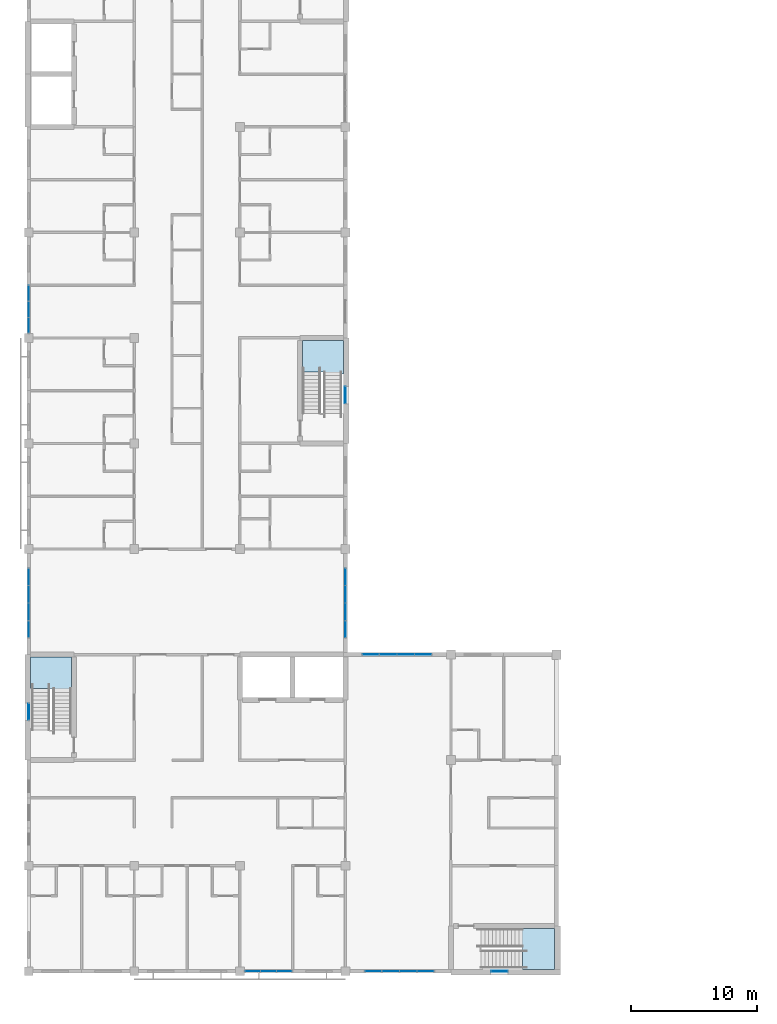
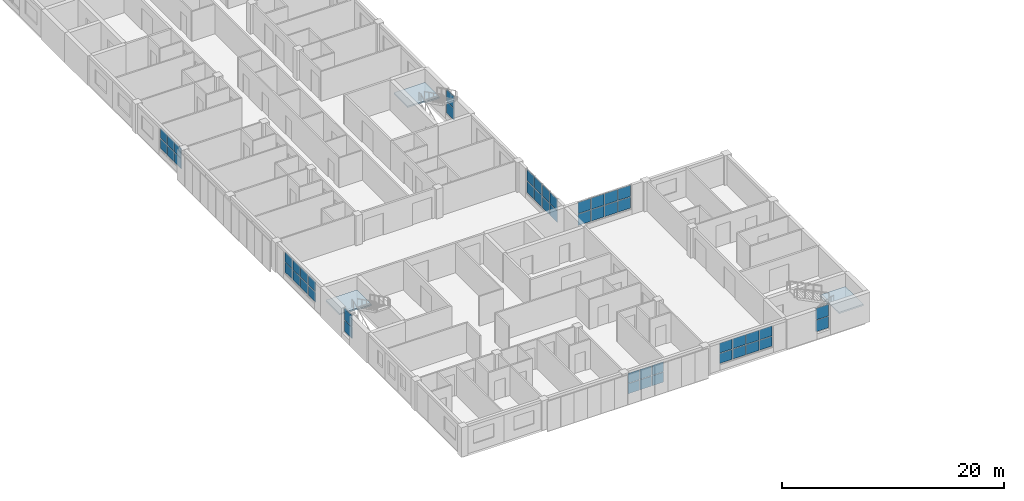
# One storey, part 19 of 46: 50 plates, 3 slabs, 12 elements without a shape of their own.
"""IFC4 building model written with IfcOpenShell, lengths in metres."""

from ifc_helpers import new_model, si_unit, direction, frame, origin, origin_2d, place, context, subcontext, project, spatial, polyline, rectangle, outline, extrude, material, layer, layer_set, type_object, element, aggregate, save


model = new_model("IFC4")

# Units and contexts
model_context = context("Model", 3, precision=1e-05, world=origin(), true_north=direction((0.0, 1.0)))
body_context = subcontext(model_context, "Body", "Model", "MODEL_VIEW")
ifc_project = project(units=[si_unit("LENGTHUNIT", "METRE"), si_unit("AREAUNIT", "SQUARE_METRE"), si_unit("VOLUMEUNIT", "CUBIC_METRE"), si_unit("PLANEANGLEUNIT", "RADIAN"), si_unit("MASSUNIT", "GRAM", prefix="KILO")], contexts=[model_context])

# Site, building, storey
site_placement = place(None, origin())
site = spatial("IfcSite", under=ifc_project, at=site_placement, CompositionType="ELEMENT")
building_placement = place(site_placement, origin())
building = spatial("IfcBuilding", under=site, at=building_placement, Name="Yavir Park General Hospital", CompositionType="ELEMENT")
storey_placement = place(building_placement, frame((0.0, 0.0, 18.89990234375)))
storey = spatial("IfcBuildingStorey", under=building, at=storey_placement, Name="L04", CompositionType="ELEMENT", Elevation=18.89990234375)

# Curtain wall, plates
ifc_material_1 = material(Name="Aluminium curtain wall frame with insulated glazing", Category="aluminium")
curtain_wall_type_1 = type_object("IfcCurtainWallType", Name="Day room pocket glazing, ward floors, 2360 high, 1400 module", PredefinedType="NOTDEFINED", material=ifc_material_1)
curtain_wall_1_placement = place(storey_placement, origin())
curtain_wall_1 = element("IfcCurtainWall", 1, at=curtain_wall_1_placement, inside=storey, type_object=curtain_wall_type_1, Name="CW6 L04-001", PredefinedType="NOTDEFINED")
ifc_material_2 = material(Name="Insulated glazed unit 30 mm, low-e coating")
ifc_layer_1 = layer(ifc_material_2, 0.030029296875)
ifc_layer_set_1 = layer_set([ifc_layer_1], Name="Insulated glazed unit 30 mm, low-e coating")
plate_type_1 = type_object("IfcPlateType", Name="Day room pocket glazing, ward floors, 2360 high panel 30", PredefinedType="CURTAIN_PANEL", material=ifc_layer_set_1)
plate_1_placement = place(storey_placement, frame((17.806640625, 0.0, 0.66015625), z_axis=(0.0, 0.0, 1.0), x_axis=(1.0, 0.0, 0.0)))
plate_1 = element("IfcPlate", 2, at=plate_1_placement, type_object=plate_type_1, Name="CW6 panel 1.1", PredefinedType="CURTAIN_PANEL", context=body_context, shape_type="SweptSolid", body=[
    extrude(rectangle(XDim=1.193359375, YDim=0.030029296875, at=origin_2d()), origin(), (0.0, 0.0, 1.0), 1.090087890625),
])
plate_2_placement = place(storey_placement, frame((17.806640625, 0.0, 1.81005859375), z_axis=(0.0, 0.0, 1.0), x_axis=(1.0, 0.0, 0.0)))
plate_2 = element("IfcPlate", 3, at=plate_2_placement, type_object=plate_type_1, Name="CW6 panel 1.2", PredefinedType="CURTAIN_PANEL", context=body_context, shape_type="SweptSolid", body=[
    extrude(rectangle(XDim=1.193359375, YDim=0.030029296875, at=origin_2d()), origin(), (0.0, 0.0, 1.0), 1.090087890625),
])
plate_3_placement = place(storey_placement, frame((19.074951171875, 0.0, 0.66015625), z_axis=(0.0, 0.0, 1.0), x_axis=(1.0, 0.0, 0.0)))
plate_3 = element("IfcPlate", 4, at=plate_3_placement, type_object=plate_type_1, Name="CW6 panel 2.1", PredefinedType="CURTAIN_PANEL", context=body_context, shape_type="SweptSolid", body=[
    extrude(rectangle(XDim=1.223388671875, YDim=0.030029296875, at=origin_2d()), origin(), (0.0, 0.0, 1.0), 1.090087890625),
])
plate_4_placement = place(storey_placement, frame((19.074951171875, 0.0, 1.81005859375), z_axis=(0.0, 0.0, 1.0), x_axis=(1.0, 0.0, 0.0)))
plate_4 = element("IfcPlate", 5, at=plate_4_placement, type_object=plate_type_1, Name="CW6 panel 2.2", PredefinedType="CURTAIN_PANEL", context=body_context, shape_type="SweptSolid", body=[
    extrude(rectangle(XDim=1.223388671875, YDim=0.030029296875, at=origin_2d()), origin(), (0.0, 0.0, 1.0), 1.090087890625),
])
plate_5_placement = place(storey_placement, frame((20.34326171875, 0.0, 0.66015625), z_axis=(0.0, 0.0, 1.0), x_axis=(1.0, 0.0, 0.0)))
plate_5 = element("IfcPlate", 6, at=plate_5_placement, type_object=plate_type_1, Name="CW6 panel 3.1", PredefinedType="CURTAIN_PANEL", context=body_context, shape_type="SweptSolid", body=[
    extrude(rectangle(XDim=1.193359375, YDim=0.030029296875, at=origin_2d()), origin(), (0.0, 0.0, 1.0), 1.090087890625),
])
plate_6_placement = place(storey_placement, frame((20.34326171875, 0.0, 1.81005859375), z_axis=(0.0, 0.0, 1.0), x_axis=(1.0, 0.0, 0.0)))
plate_6 = element("IfcPlate", 7, at=plate_6_placement, type_object=plate_type_1, Name="CW6 panel 3.2", PredefinedType="CURTAIN_PANEL", context=body_context, shape_type="SweptSolid", body=[
    extrude(rectangle(XDim=1.193359375, YDim=0.030029296875, at=origin_2d()), origin(), (0.0, 0.0, 1.0), 1.090087890625),
])
aggregate(curtain_wall_1, [plate_1, plate_2, plate_3, plate_4, plate_5, plate_6])

curtain_wall_2_placement = place(storey_placement, origin())
curtain_wall_2 = element("IfcCurtainWall", 8, at=curtain_wall_2_placement, inside=storey, type_object=curtain_wall_type_1, Name="CW6 L04-002", PredefinedType="NOTDEFINED")
plate_7_placement = place(storey_placement, frame((27.4150390625, 0.0, 0.66015625), z_axis=(0.0, 0.0, 1.0), x_axis=(1.0, 0.0, 0.0)))
plate_7 = element("IfcPlate", 9, at=plate_7_placement, type_object=plate_type_1, Name="CW6 panel 1.1", PredefinedType="CURTAIN_PANEL", context=body_context, shape_type="SweptSolid", body=[
    extrude(rectangle(XDim=1.31005859375, YDim=0.030029296875, at=origin_2d()), origin(), (0.0, 0.0, 1.0), 1.090087890625),
])
plate_8_placement = place(storey_placement, frame((27.4150390625, 0.0, 1.81005859375), z_axis=(0.0, 0.0, 1.0), x_axis=(1.0, 0.0, 0.0)))
plate_8 = element("IfcPlate", 10, at=plate_8_placement, type_object=plate_type_1, Name="CW6 panel 1.2", PredefinedType="CURTAIN_PANEL", context=body_context, shape_type="SweptSolid", body=[
    extrude(rectangle(XDim=1.31005859375, YDim=0.030029296875, at=origin_2d()), origin(), (0.0, 0.0, 1.0), 1.090087890625),
])
plate_9_placement = place(storey_placement, frame((28.800048828125, 0.0, 0.66015625), z_axis=(0.0, 0.0, 1.0), x_axis=(1.0, 0.0, 0.0)))
plate_9 = element("IfcPlate", 11, at=plate_9_placement, type_object=plate_type_1, Name="CW6 panel 2.1", PredefinedType="CURTAIN_PANEL", context=body_context, shape_type="SweptSolid", body=[
    extrude(rectangle(XDim=1.340087890625, YDim=0.030029296875, at=origin_2d()), origin(), (0.0, 0.0, 1.0), 1.090087890625),
])
plate_10_placement = place(storey_placement, frame((28.800048828125, 0.0, 1.81005859375), z_axis=(0.0, 0.0, 1.0), x_axis=(1.0, 0.0, 0.0)))
plate_10 = element("IfcPlate", 12, at=plate_10_placement, type_object=plate_type_1, Name="CW6 panel 2.2", PredefinedType="CURTAIN_PANEL", context=body_context, shape_type="SweptSolid", body=[
    extrude(rectangle(XDim=1.340087890625, YDim=0.030029296875, at=origin_2d()), origin(), (0.0, 0.0, 1.0), 1.090087890625),
])
plate_11_placement = place(storey_placement, frame((30.199951171875, 0.0, 0.66015625), z_axis=(0.0, 0.0, 1.0), x_axis=(1.0, 0.0, 0.0)))
plate_11 = element("IfcPlate", 13, at=plate_11_placement, type_object=plate_type_1, Name="CW6 panel 3.1", PredefinedType="CURTAIN_PANEL", context=body_context, shape_type="SweptSolid", body=[
    extrude(rectangle(XDim=1.340087890625, YDim=0.030029296875, at=origin_2d()), origin(), (0.0, 0.0, 1.0), 1.090087890625),
])
plate_12_placement = place(storey_placement, frame((30.199951171875, 0.0, 1.81005859375), z_axis=(0.0, 0.0, 1.0), x_axis=(1.0, 0.0, 0.0)))
plate_12 = element("IfcPlate", 14, at=plate_12_placement, type_object=plate_type_1, Name="CW6 panel 3.2", PredefinedType="CURTAIN_PANEL", context=body_context, shape_type="SweptSolid", body=[
    extrude(rectangle(XDim=1.340087890625, YDim=0.030029296875, at=origin_2d()), origin(), (0.0, 0.0, 1.0), 1.090087890625),
])
plate_13_placement = place(storey_placement, frame((31.5849609375, 0.0, 0.66015625), z_axis=(0.0, 0.0, 1.0), x_axis=(1.0, 0.0, 0.0)))
plate_13 = element("IfcPlate", 15, at=plate_13_placement, type_object=plate_type_1, Name="CW6 panel 4.1", PredefinedType="CURTAIN_PANEL", context=body_context, shape_type="SweptSolid", body=[
    extrude(rectangle(XDim=1.31005859375, YDim=0.030029296875, at=origin_2d()), origin(), (0.0, 0.0, 1.0), 1.090087890625),
])
plate_14_placement = place(storey_placement, frame((31.5849609375, 0.0, 1.81005859375), z_axis=(0.0, 0.0, 1.0), x_axis=(1.0, 0.0, 0.0)))
plate_14 = element("IfcPlate", 16, at=plate_14_placement, type_object=plate_type_1, Name="CW6 panel 4.2", PredefinedType="CURTAIN_PANEL", context=body_context, shape_type="SweptSolid", body=[
    extrude(rectangle(XDim=1.31005859375, YDim=0.030029296875, at=origin_2d()), origin(), (0.0, 0.0, 1.0), 1.090087890625),
])
aggregate(curtain_wall_2, [plate_7, plate_8, plate_9, plate_10, plate_11, plate_12, plate_13, plate_14])

curtain_wall_3_placement = place(storey_placement, origin())
curtain_wall_3 = element("IfcCurtainWall", 17, at=curtain_wall_3_placement, inside=storey, type_object=curtain_wall_type_1, Name="CW6 L04-017", PredefinedType="NOTDEFINED")
plate_15_placement = place(storey_placement, frame((0.0, 27.215087890625, 0.66015625), z_axis=(0.0, 0.0, 1.0), x_axis=(0.0, 1.0, 0.0)))
plate_15 = element("IfcPlate", 18, at=plate_15_placement, type_object=plate_type_1, Name="CW6 panel 1.1", PredefinedType="CURTAIN_PANEL", context=body_context, shape_type="SweptSolid", body=[
    extrude(rectangle(XDim=1.31005859375, YDim=0.030029296875, at=origin_2d()), origin(), (0.0, 0.0, 1.0), 1.090087890625),
])
plate_16_placement = place(storey_placement, frame((0.0, 27.215087890625, 1.81005859375), z_axis=(0.0, 0.0, 1.0), x_axis=(0.0, 1.0, 0.0)))
plate_16 = element("IfcPlate", 19, at=plate_16_placement, type_object=plate_type_1, Name="CW6 panel 1.2", PredefinedType="CURTAIN_PANEL", context=body_context, shape_type="SweptSolid", body=[
    extrude(rectangle(XDim=1.31005859375, YDim=0.030029296875, at=origin_2d()), origin(), (0.0, 0.0, 1.0), 1.090087890625),
])
plate_17_placement = place(storey_placement, frame((0.0, 28.60009765625, 0.66015625), z_axis=(0.0, 0.0, 1.0), x_axis=(0.0, 1.0, 0.0)))
plate_17 = element("IfcPlate", 20, at=plate_17_placement, type_object=plate_type_1, Name="CW6 panel 2.1", PredefinedType="CURTAIN_PANEL", context=body_context, shape_type="SweptSolid", body=[
    extrude(rectangle(XDim=1.340087890625, YDim=0.030029296875, at=origin_2d()), origin(), (0.0, 0.0, 1.0), 1.090087890625),
])
plate_18_placement = place(storey_placement, frame((0.0, 28.60009765625, 1.81005859375), z_axis=(0.0, 0.0, 1.0), x_axis=(0.0, 1.0, 0.0)))
plate_18 = element("IfcPlate", 21, at=plate_18_placement, type_object=plate_type_1, Name="CW6 panel 2.2", PredefinedType="CURTAIN_PANEL", context=body_context, shape_type="SweptSolid", body=[
    extrude(rectangle(XDim=1.340087890625, YDim=0.030029296875, at=origin_2d()), origin(), (0.0, 0.0, 1.0), 1.090087890625),
])
plate_19_placement = place(storey_placement, frame((0.0, 30.0, 0.66015625), z_axis=(0.0, 0.0, 1.0), x_axis=(0.0, 1.0, 0.0)))
plate_19 = element("IfcPlate", 22, at=plate_19_placement, type_object=plate_type_1, Name="CW6 panel 3.1", PredefinedType="CURTAIN_PANEL", context=body_context, shape_type="SweptSolid", body=[
    extrude(rectangle(XDim=1.340087890625, YDim=0.030029296875, at=origin_2d()), origin(), (0.0, 0.0, 1.0), 1.090087890625),
])
plate_20_placement = place(storey_placement, frame((0.0, 30.0, 1.81005859375), z_axis=(0.0, 0.0, 1.0), x_axis=(0.0, 1.0, 0.0)))
plate_20 = element("IfcPlate", 23, at=plate_20_placement, type_object=plate_type_1, Name="CW6 panel 3.2", PredefinedType="CURTAIN_PANEL", context=body_context, shape_type="SweptSolid", body=[
    extrude(rectangle(XDim=1.340087890625, YDim=0.030029296875, at=origin_2d()), origin(), (0.0, 0.0, 1.0), 1.090087890625),
])
plate_21_placement = place(storey_placement, frame((0.0, 31.385009765625, 0.66015625), z_axis=(0.0, 0.0, 1.0), x_axis=(0.0, 1.0, 0.0)))
plate_21 = element("IfcPlate", 24, at=plate_21_placement, type_object=plate_type_1, Name="CW6 panel 4.1", PredefinedType="CURTAIN_PANEL", context=body_context, shape_type="SweptSolid", body=[
    extrude(rectangle(XDim=1.31005859375, YDim=0.030029296875, at=origin_2d()), origin(), (0.0, 0.0, 1.0), 1.090087890625),
])
plate_22_placement = place(storey_placement, frame((0.0, 31.385009765625, 1.81005859375), z_axis=(0.0, 0.0, 1.0), x_axis=(0.0, 1.0, 0.0)))
plate_22 = element("IfcPlate", 25, at=plate_22_placement, type_object=plate_type_1, Name="CW6 panel 4.2", PredefinedType="CURTAIN_PANEL", context=body_context, shape_type="SweptSolid", body=[
    extrude(rectangle(XDim=1.31005859375, YDim=0.030029296875, at=origin_2d()), origin(), (0.0, 0.0, 1.0), 1.090087890625),
])
aggregate(curtain_wall_3, [plate_15, plate_16, plate_17, plate_18, plate_19, plate_20, plate_21, plate_22])

curtain_wall_4_placement = place(storey_placement, origin())
curtain_wall_4 = element("IfcCurtainWall", 26, at=curtain_wall_4_placement, inside=storey, type_object=curtain_wall_type_1, Name="CW6 L04-018", PredefinedType="NOTDEFINED")
plate_23_placement = place(storey_placement, frame((0.0, 51.40673828125, 0.66015625), z_axis=(0.0, 0.0, 1.0), x_axis=(0.0, 1.0, 0.0)))
plate_23 = element("IfcPlate", 27, at=plate_23_placement, type_object=plate_type_1, Name="CW6 panel 1.1", PredefinedType="CURTAIN_PANEL", context=body_context, shape_type="SweptSolid", body=[
    extrude(rectangle(XDim=1.193359375, YDim=0.030029296875, at=origin_2d()), origin(), (0.0, 0.0, 1.0), 1.090087890625),
])
plate_24_placement = place(storey_placement, frame((0.0, 51.40673828125, 1.81005859375), z_axis=(0.0, 0.0, 1.0), x_axis=(0.0, 1.0, 0.0)))
plate_24 = element("IfcPlate", 28, at=plate_24_placement, type_object=plate_type_1, Name="CW6 panel 1.2", PredefinedType="CURTAIN_PANEL", context=body_context, shape_type="SweptSolid", body=[
    extrude(rectangle(XDim=1.193359375, YDim=0.030029296875, at=origin_2d()), origin(), (0.0, 0.0, 1.0), 1.090087890625),
])
plate_25_placement = place(storey_placement, frame((0.0, 52.675048828125, 0.66015625), z_axis=(0.0, 0.0, 1.0), x_axis=(0.0, 1.0, 0.0)))
plate_25 = element("IfcPlate", 29, at=plate_25_placement, type_object=plate_type_1, Name="CW6 panel 2.1", PredefinedType="CURTAIN_PANEL", context=body_context, shape_type="SweptSolid", body=[
    extrude(rectangle(XDim=1.223388671875, YDim=0.030029296875, at=origin_2d()), origin(), (0.0, 0.0, 1.0), 1.090087890625),
])
plate_26_placement = place(storey_placement, frame((0.0, 52.675048828125, 1.81005859375), z_axis=(0.0, 0.0, 1.0), x_axis=(0.0, 1.0, 0.0)))
plate_26 = element("IfcPlate", 30, at=plate_26_placement, type_object=plate_type_1, Name="CW6 panel 2.2", PredefinedType="CURTAIN_PANEL", context=body_context, shape_type="SweptSolid", body=[
    extrude(rectangle(XDim=1.223388671875, YDim=0.030029296875, at=origin_2d()), origin(), (0.0, 0.0, 1.0), 1.090087890625),
])
plate_27_placement = place(storey_placement, frame((0.0, 53.943359375, 0.66015625), z_axis=(0.0, 0.0, 1.0), x_axis=(0.0, 1.0, 0.0)))
plate_27 = element("IfcPlate", 31, at=plate_27_placement, type_object=plate_type_1, Name="CW6 panel 3.1", PredefinedType="CURTAIN_PANEL", context=body_context, shape_type="SweptSolid", body=[
    extrude(rectangle(XDim=1.193359375, YDim=0.030029296875, at=origin_2d()), origin(), (0.0, 0.0, 1.0), 1.090087890625),
])
plate_28_placement = place(storey_placement, frame((0.0, 53.943359375, 1.81005859375), z_axis=(0.0, 0.0, 1.0), x_axis=(0.0, 1.0, 0.0)))
plate_28 = element("IfcPlate", 32, at=plate_28_placement, type_object=plate_type_1, Name="CW6 panel 3.2", PredefinedType="CURTAIN_PANEL", context=body_context, shape_type="SweptSolid", body=[
    extrude(rectangle(XDim=1.193359375, YDim=0.030029296875, at=origin_2d()), origin(), (0.0, 0.0, 1.0), 1.090087890625),
])
aggregate(curtain_wall_4, [plate_23, plate_24, plate_25, plate_26, plate_27, plate_28])

ifc_material_3 = material(Name="Aluminium curtain wall frame with insulated glazing", Category="aluminium")
curtain_wall_type_2 = type_object("IfcCurtainWallType", Name="Day room pocket glazing, ward floors, 2660 high, 1400 module", PredefinedType="NOTDEFINED", material=ifc_material_3)
curtain_wall_5_placement = place(storey_placement, origin())
curtain_wall_5 = element("IfcCurtainWall", 33, at=curtain_wall_5_placement, inside=storey, type_object=curtain_wall_type_2, Name="CW62 L04-009", PredefinedType="NOTDEFINED")
ifc_material_4 = material(Name="Insulated glazed unit 30 mm, low-e coating")
ifc_layer_2 = layer(ifc_material_4, 0.030029296875)
ifc_layer_set_2 = layer_set([ifc_layer_2], Name="Insulated glazed unit 30 mm, low-e coating")
plate_type_2 = type_object("IfcPlateType", Name="Day room pocket glazing, ward floors, 2660 high panel 30", PredefinedType="CURTAIN_PANEL", material=ifc_layer_set_2)
plate_29_placement = place(storey_placement, frame((27.215087890625, 25.199951171875, 0.66015625), z_axis=(0.0, 0.0, 1.0), x_axis=(1.0, 0.0, 0.0)))
plate_29 = element("IfcPlate", 34, at=plate_29_placement, type_object=plate_type_2, Name="CW62 panel 1.1", PredefinedType="CURTAIN_PANEL", context=body_context, shape_type="SweptSolid", body=[
    extrude(rectangle(XDim=1.31005859375, YDim=0.030029296875, at=origin_2d()), origin(), (0.0, 0.0, 1.0), 1.239990234375),
])
plate_30_placement = place(storey_placement, frame((27.215087890625, 25.199951171875, 1.9599609375), z_axis=(0.0, 0.0, 1.0), x_axis=(1.0, 0.0, 0.0)))
plate_30 = element("IfcPlate", 35, at=plate_30_placement, type_object=plate_type_2, Name="CW62 panel 1.2", PredefinedType="CURTAIN_PANEL", context=body_context, shape_type="SweptSolid", body=[
    extrude(rectangle(XDim=1.31005859375, YDim=0.030029296875, at=origin_2d()), origin(), (0.0, 0.0, 1.0), 1.239990234375),
])
plate_31_placement = place(storey_placement, frame((28.60009765625, 25.199951171875, 0.66015625), z_axis=(0.0, 0.0, 1.0), x_axis=(1.0, 0.0, 0.0)))
plate_31 = element("IfcPlate", 36, at=plate_31_placement, type_object=plate_type_2, Name="CW62 panel 2.1", PredefinedType="CURTAIN_PANEL", context=body_context, shape_type="SweptSolid", body=[
    extrude(rectangle(XDim=1.340087890625, YDim=0.030029296875, at=origin_2d()), origin(), (0.0, 0.0, 1.0), 1.239990234375),
])
plate_32_placement = place(storey_placement, frame((28.60009765625, 25.199951171875, 1.9599609375), z_axis=(0.0, 0.0, 1.0), x_axis=(1.0, 0.0, 0.0)))
plate_32 = element("IfcPlate", 37, at=plate_32_placement, type_object=plate_type_2, Name="CW62 panel 2.2", PredefinedType="CURTAIN_PANEL", context=body_context, shape_type="SweptSolid", body=[
    extrude(rectangle(XDim=1.340087890625, YDim=0.030029296875, at=origin_2d()), origin(), (0.0, 0.0, 1.0), 1.239990234375),
])
plate_33_placement = place(storey_placement, frame((30.0, 25.199951171875, 0.66015625), z_axis=(0.0, 0.0, 1.0), x_axis=(1.0, 0.0, 0.0)))
plate_33 = element("IfcPlate", 38, at=plate_33_placement, type_object=plate_type_2, Name="CW62 panel 3.1", PredefinedType="CURTAIN_PANEL", context=body_context, shape_type="SweptSolid", body=[
    extrude(rectangle(XDim=1.340087890625, YDim=0.030029296875, at=origin_2d()), origin(), (0.0, 0.0, 1.0), 1.239990234375),
])
plate_34_placement = place(storey_placement, frame((30.0, 25.199951171875, 1.9599609375), z_axis=(0.0, 0.0, 1.0), x_axis=(1.0, 0.0, 0.0)))
plate_34 = element("IfcPlate", 39, at=plate_34_placement, type_object=plate_type_2, Name="CW62 panel 3.2", PredefinedType="CURTAIN_PANEL", context=body_context, shape_type="SweptSolid", body=[
    extrude(rectangle(XDim=1.340087890625, YDim=0.030029296875, at=origin_2d()), origin(), (0.0, 0.0, 1.0), 1.239990234375),
])
plate_35_placement = place(storey_placement, frame((31.385009765625, 25.199951171875, 0.66015625), z_axis=(0.0, 0.0, 1.0), x_axis=(1.0, 0.0, 0.0)))
plate_35 = element("IfcPlate", 40, at=plate_35_placement, type_object=plate_type_2, Name="CW62 panel 4.1", PredefinedType="CURTAIN_PANEL", context=body_context, shape_type="SweptSolid", body=[
    extrude(rectangle(XDim=1.31005859375, YDim=0.030029296875, at=origin_2d()), origin(), (0.0, 0.0, 1.0), 1.239990234375),
])
plate_36_placement = place(storey_placement, frame((31.385009765625, 25.199951171875, 1.9599609375), z_axis=(0.0, 0.0, 1.0), x_axis=(1.0, 0.0, 0.0)))
plate_36 = element("IfcPlate", 41, at=plate_36_placement, type_object=plate_type_2, Name="CW62 panel 4.2", PredefinedType="CURTAIN_PANEL", context=body_context, shape_type="SweptSolid", body=[
    extrude(rectangle(XDim=1.31005859375, YDim=0.030029296875, at=origin_2d()), origin(), (0.0, 0.0, 1.0), 1.239990234375),
])
aggregate(curtain_wall_5, [plate_29, plate_30, plate_31, plate_32, plate_33, plate_34, plate_35, plate_36])

curtain_wall_6_placement = place(storey_placement, origin())
curtain_wall_6 = element("IfcCurtainWall", 42, at=curtain_wall_6_placement, inside=storey, type_object=curtain_wall_type_2, Name="CW62 L04-021", PredefinedType="NOTDEFINED")
plate_37_placement = place(storey_placement, frame((25.199951171875, 27.215087890625, 0.66015625), z_axis=(0.0, 0.0, 1.0), x_axis=(0.0, 1.0, 0.0)))
plate_37 = element("IfcPlate", 43, at=plate_37_placement, type_object=plate_type_2, Name="CW62 panel 1.1", PredefinedType="CURTAIN_PANEL", context=body_context, shape_type="SweptSolid", body=[
    extrude(rectangle(XDim=1.31005859375, YDim=0.030029296875, at=origin_2d()), origin(), (0.0, 0.0, 1.0), 1.239990234375),
])
plate_38_placement = place(storey_placement, frame((25.199951171875, 27.215087890625, 1.9599609375), z_axis=(0.0, 0.0, 1.0), x_axis=(0.0, 1.0, 0.0)))
plate_38 = element("IfcPlate", 44, at=plate_38_placement, type_object=plate_type_2, Name="CW62 panel 1.2", PredefinedType="CURTAIN_PANEL", context=body_context, shape_type="SweptSolid", body=[
    extrude(rectangle(XDim=1.31005859375, YDim=0.030029296875, at=origin_2d()), origin(), (0.0, 0.0, 1.0), 1.239990234375),
])
plate_39_placement = place(storey_placement, frame((25.199951171875, 28.60009765625, 0.66015625), z_axis=(0.0, 0.0, 1.0), x_axis=(0.0, 1.0, 0.0)))
plate_39 = element("IfcPlate", 45, at=plate_39_placement, type_object=plate_type_2, Name="CW62 panel 2.1", PredefinedType="CURTAIN_PANEL", context=body_context, shape_type="SweptSolid", body=[
    extrude(rectangle(XDim=1.340087890625, YDim=0.030029296875, at=origin_2d()), origin(), (0.0, 0.0, 1.0), 1.239990234375),
])
plate_40_placement = place(storey_placement, frame((25.199951171875, 28.60009765625, 1.9599609375), z_axis=(0.0, 0.0, 1.0), x_axis=(0.0, 1.0, 0.0)))
plate_40 = element("IfcPlate", 46, at=plate_40_placement, type_object=plate_type_2, Name="CW62 panel 2.2", PredefinedType="CURTAIN_PANEL", context=body_context, shape_type="SweptSolid", body=[
    extrude(rectangle(XDim=1.340087890625, YDim=0.030029296875, at=origin_2d()), origin(), (0.0, 0.0, 1.0), 1.239990234375),
])
plate_41_placement = place(storey_placement, frame((25.199951171875, 30.0, 0.66015625), z_axis=(0.0, 0.0, 1.0), x_axis=(0.0, 1.0, 0.0)))
plate_41 = element("IfcPlate", 47, at=plate_41_placement, type_object=plate_type_2, Name="CW62 panel 3.1", PredefinedType="CURTAIN_PANEL", context=body_context, shape_type="SweptSolid", body=[
    extrude(rectangle(XDim=1.340087890625, YDim=0.030029296875, at=origin_2d()), origin(), (0.0, 0.0, 1.0), 1.239990234375),
])
plate_42_placement = place(storey_placement, frame((25.199951171875, 30.0, 1.9599609375), z_axis=(0.0, 0.0, 1.0), x_axis=(0.0, 1.0, 0.0)))
plate_42 = element("IfcPlate", 48, at=plate_42_placement, type_object=plate_type_2, Name="CW62 panel 3.2", PredefinedType="CURTAIN_PANEL", context=body_context, shape_type="SweptSolid", body=[
    extrude(rectangle(XDim=1.340087890625, YDim=0.030029296875, at=origin_2d()), origin(), (0.0, 0.0, 1.0), 1.239990234375),
])
plate_43_placement = place(storey_placement, frame((25.199951171875, 31.385009765625, 0.66015625), z_axis=(0.0, 0.0, 1.0), x_axis=(0.0, 1.0, 0.0)))
plate_43 = element("IfcPlate", 49, at=plate_43_placement, type_object=plate_type_2, Name="CW62 panel 4.1", PredefinedType="CURTAIN_PANEL", context=body_context, shape_type="SweptSolid", body=[
    extrude(rectangle(XDim=1.31005859375, YDim=0.030029296875, at=origin_2d()), origin(), (0.0, 0.0, 1.0), 1.239990234375),
])
plate_44_placement = place(storey_placement, frame((25.199951171875, 31.385009765625, 1.9599609375), z_axis=(0.0, 0.0, 1.0), x_axis=(0.0, 1.0, 0.0)))
plate_44 = element("IfcPlate", 50, at=plate_44_placement, type_object=plate_type_2, Name="CW62 panel 4.2", PredefinedType="CURTAIN_PANEL", context=body_context, shape_type="SweptSolid", body=[
    extrude(rectangle(XDim=1.31005859375, YDim=0.030029296875, at=origin_2d()), origin(), (0.0, 0.0, 1.0), 1.239990234375),
])
aggregate(curtain_wall_6, [plate_37, plate_38, plate_39, plate_40, plate_41, plate_42, plate_43, plate_44])

# Stair, slab
ifc_material_5 = material(Name="Concrete C30/37", Category="concrete")
stair_type = type_object("IfcStairType", Name="Patient escape stair, 24 risers of 150 mm, 1400 mm flights", PredefinedType="HALF_TURN_STAIR", material=ifc_material_5)
stair_1_placement = place(storey_placement, origin())
stair_1 = element("IfcStair", 51, at=stair_1_placement, inside=storey, type_object=stair_type, Name="Stair SU1, L04 to L05", PredefinedType="HALF_TURN_STAIR")
ifc_material_6 = material(Name="Concrete C30/37", Category="concrete")
ifc_layer_3 = layer(ifc_material_6, 0.159912109375)
ifc_layer_set_3 = layer_set([ifc_layer_3], Name="Concrete C30/37")
slab_type = type_object("IfcSlabType", Name="Patient escape stair half landing, reinforced concrete 160 mm", PredefinedType="LANDING", material=ifc_layer_set_3)
slab_1_placement = place(storey_placement, frame((0.0, 0.0, 1.64013671875)))
slab_1 = element("IfcSlab", 52, at=slab_1_placement, type_object=slab_type, Name="SU1 landing 1", PredefinedType="LANDING", context=body_context, shape_type="SweptSolid", body=[
    extrude(outline(polyline([(0.14990234375, 22.49853515625), (0.14990234375, 25.0), (3.39990234375, 25.0), (3.39990234375, 22.35009765625), (1.949951171875, 22.35009765625), (1.949951171875, 22.49853515625), (0.14990234375, 22.49853515625)])), origin(), (0.0, 0.0, 1.0), 0.159912109375),
])
aggregate(stair_1, [slab_1])

stair_2_placement = place(storey_placement, origin())
stair_2 = element("IfcStair", 53, at=stair_2_placement, inside=storey, type_object=stair_type, Name="Stair SU2, L04 to L05", PredefinedType="HALF_TURN_STAIR")
slab_2_placement = place(storey_placement, frame((0.0, 0.0, 1.64013671875)))
slab_2 = element("IfcSlab", 54, at=slab_2_placement, type_object=slab_type, Name="SU2 landing 1", PredefinedType="LANDING", context=body_context, shape_type="SweptSolid", body=[
    extrude(outline(polyline([(39.298583984375, 0.14990234375), (41.85009765625, 0.14990234375), (41.85009765625, 3.39990234375), (39.14990234375, 3.39990234375), (39.14990234375, 1.949951171875), (39.298583984375, 1.949951171875), (39.298583984375, 0.14990234375)])), origin(), (0.0, 0.0, 1.0), 0.159912109375),
])
aggregate(stair_2, [slab_2])

stair_3_placement = place(storey_placement, origin())
stair_3 = element("IfcStair", 55, at=stair_3_placement, inside=storey, type_object=stair_type, Name="Stair SW1, L04 to L05", PredefinedType="HALF_TURN_STAIR")
slab_3_placement = place(storey_placement, frame((0.0, 0.0, 1.64013671875)))
slab_3 = element("IfcSlab", 56, at=slab_3_placement, type_object=slab_type, Name="SW1 landing 1", PredefinedType="LANDING", context=body_context, shape_type="SweptSolid", body=[
    extrude(outline(polyline([(21.800048828125, 47.698486328125), (21.800048828125, 50.199951171875), (25.050048828125, 50.199951171875), (25.050048828125, 47.550048828125), (23.5, 47.550048828125), (23.5, 47.698486328125), (21.800048828125, 47.698486328125)])), origin(), (0.0, 0.0, 1.0), 0.159912109375),
])
aggregate(stair_3, [slab_3])

# Curtain wall, plates
ifc_material_7 = material(Name="Aluminium curtain wall frame with insulated glazing", Category="aluminium")
curtain_wall_type_3 = type_object("IfcCurtainWallType", Name="Stair light slot, ward floors, 2660 high, 1400 module", PredefinedType="NOTDEFINED", material=ifc_material_7)
curtain_wall_7_placement = place(storey_placement, origin())
curtain_wall_7 = element("IfcCurtainWall", 57, at=curtain_wall_7_placement, inside=storey, type_object=curtain_wall_type_3, Name="CW10 L04-003", PredefinedType="NOTDEFINED")
ifc_material_8 = material(Name="Fire-resisting glazed unit 70 mm")
ifc_layer_4 = layer(ifc_material_8, 0.070068359375)
ifc_layer_set_4 = layer_set([ifc_layer_4], Name="Fire-resisting glazed unit 70 mm")
plate_type_3 = type_object("IfcPlateType", Name="Stair light slot, ward floors, 2660 high panel 70", PredefinedType="CURTAIN_PANEL", material=ifc_layer_set_4)
plate_45_placement = place(storey_placement, frame((37.449951171875, 0.0, 0.650146484375), z_axis=(0.0, 0.0, 1.0), x_axis=(1.0, 0.0, 0.0)))
plate_45 = element("IfcPlate", 58, at=plate_45_placement, type_object=plate_type_3, Name="CW10 panel 1.1", PredefinedType="CURTAIN_PANEL", context=body_context, shape_type="SweptSolid", body=[
    extrude(rectangle(XDim=1.300048828125, YDim=0.070068359375, at=origin_2d()), origin(), (0.0, 0.0, 1.0), 1.2548828125),
])
plate_46_placement = place(storey_placement, frame((37.449951171875, 0.0, 1.955078125), z_axis=(0.0, 0.0, 1.0), x_axis=(1.0, 0.0, 0.0)))
plate_46 = element("IfcPlate", 59, at=plate_46_placement, type_object=plate_type_3, Name="CW10 panel 1.2", PredefinedType="CURTAIN_PANEL", context=body_context, shape_type="SweptSolid", body=[
    extrude(rectangle(XDim=1.300048828125, YDim=0.070068359375, at=origin_2d()), origin(), (0.0, 0.0, 1.0), 1.2548828125),
])
aggregate(curtain_wall_7, [plate_45, plate_46])

curtain_wall_8_placement = place(storey_placement, origin())
curtain_wall_8 = element("IfcCurtainWall", 60, at=curtain_wall_8_placement, inside=storey, type_object=curtain_wall_type_3, Name="CW10 L04-016", PredefinedType="NOTDEFINED")
plate_47_placement = place(storey_placement, frame((0.0, 20.64990234375, 0.650146484375), z_axis=(0.0, 0.0, 1.0), x_axis=(0.0, 1.0, 0.0)))
plate_47 = element("IfcPlate", 61, at=plate_47_placement, type_object=plate_type_3, Name="CW10 panel 1.1", PredefinedType="CURTAIN_PANEL", context=body_context, shape_type="SweptSolid", body=[
    extrude(rectangle(XDim=1.300048828125, YDim=0.070068359375, at=origin_2d()), origin(), (0.0, 0.0, 1.0), 1.2548828125),
])
plate_48_placement = place(storey_placement, frame((0.0, 20.64990234375, 1.955078125), z_axis=(0.0, 0.0, 1.0), x_axis=(0.0, 1.0, 0.0)))
plate_48 = element("IfcPlate", 62, at=plate_48_placement, type_object=plate_type_3, Name="CW10 panel 1.2", PredefinedType="CURTAIN_PANEL", context=body_context, shape_type="SweptSolid", body=[
    extrude(rectangle(XDim=1.300048828125, YDim=0.070068359375, at=origin_2d()), origin(), (0.0, 0.0, 1.0), 1.2548828125),
])
aggregate(curtain_wall_8, [plate_47, plate_48])

curtain_wall_9_placement = place(storey_placement, origin())
curtain_wall_9 = element("IfcCurtainWall", 63, at=curtain_wall_9_placement, inside=storey, type_object=curtain_wall_type_3, Name="CW10 L04-022", PredefinedType="NOTDEFINED")
plate_49_placement = place(storey_placement, frame((25.199951171875, 45.85009765625, 0.650146484375), z_axis=(0.0, 0.0, 1.0), x_axis=(0.0, 1.0, 0.0)))
plate_49 = element("IfcPlate", 64, at=plate_49_placement, type_object=plate_type_3, Name="CW10 panel 1.1", PredefinedType="CURTAIN_PANEL", context=body_context, shape_type="SweptSolid", body=[
    extrude(rectangle(XDim=1.300048828125, YDim=0.070068359375, at=origin_2d()), origin(), (0.0, 0.0, 1.0), 1.2548828125),
])
plate_50_placement = place(storey_placement, frame((25.199951171875, 45.85009765625, 1.955078125), z_axis=(0.0, 0.0, 1.0), x_axis=(0.0, 1.0, 0.0)))
plate_50 = element("IfcPlate", 65, at=plate_50_placement, type_object=plate_type_3, Name="CW10 panel 1.2", PredefinedType="CURTAIN_PANEL", context=body_context, shape_type="SweptSolid", body=[
    extrude(rectangle(XDim=1.300048828125, YDim=0.070068359375, at=origin_2d()), origin(), (0.0, 0.0, 1.0), 1.2548828125),
])
aggregate(curtain_wall_9, [plate_49, plate_50])

save(model, "model.ifc")
